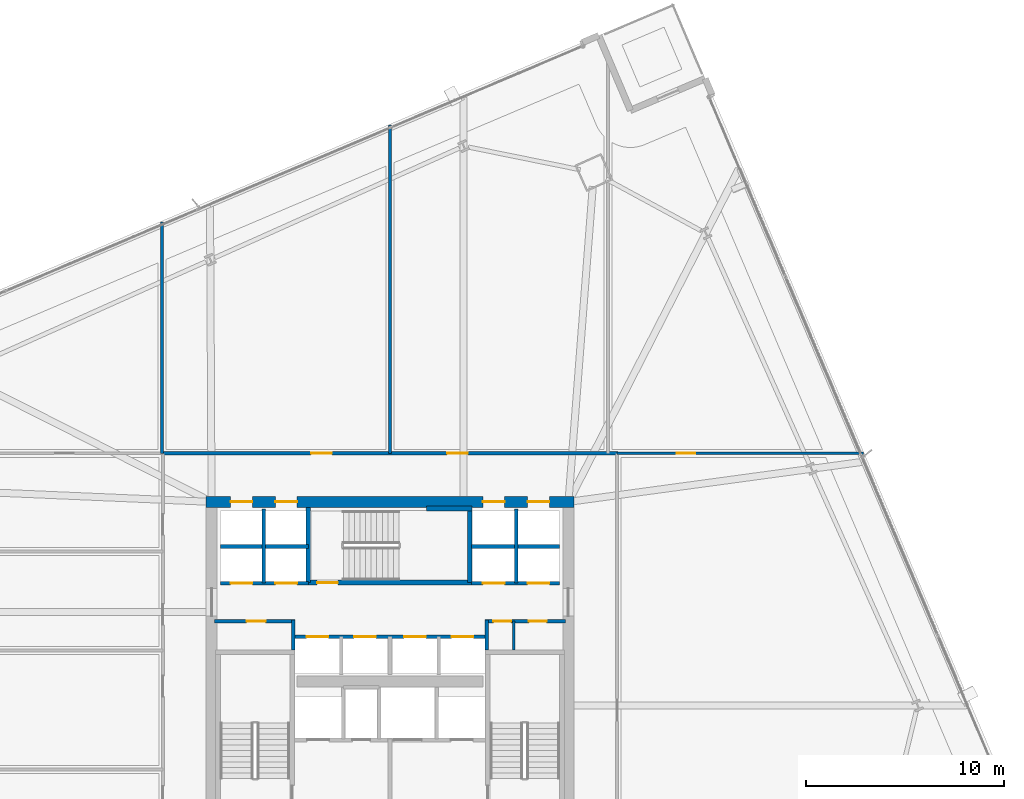
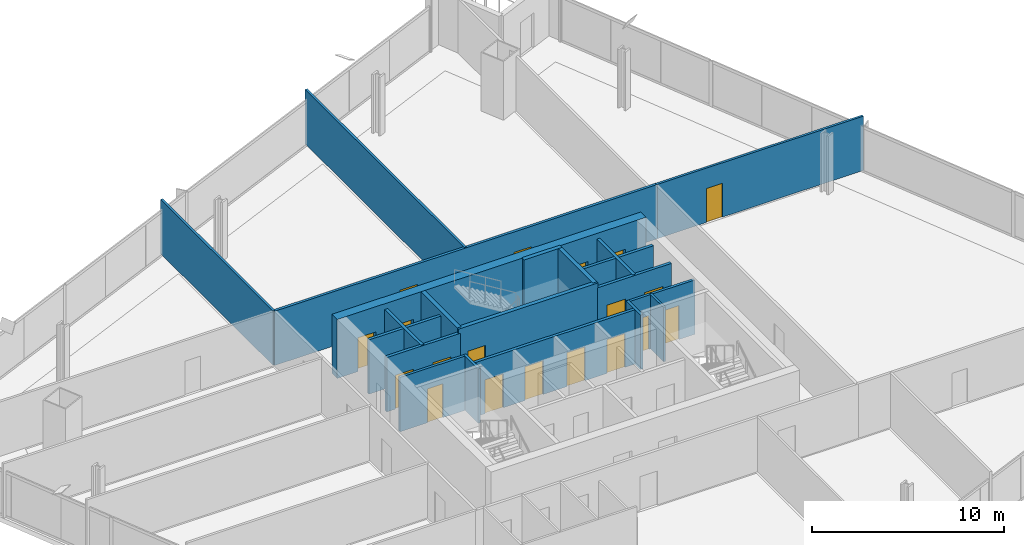
# One storey, part 28 of 34: 21 walls, 19 doors, 19 openings.
"""IFC4 building model written with IfcOpenShell, lengths in metres."""

from ifc_helpers import new_model, si_unit, direction, frame, frame_2d, origin, place, context, subcontext, project, spatial, rectangle, extrude, material, layer, layer_set, type_object, element, fill, save


model = new_model("IFC4")

# Units and contexts
model_context = context("Model", 3, precision=1e-05, world=origin(), true_north=direction((0.0, 1.0)))
body_context = subcontext(model_context, "Body", "Model", "MODEL_VIEW")
ifc_project = project(units=[si_unit("LENGTHUNIT", "METRE"), si_unit("AREAUNIT", "SQUARE_METRE"), si_unit("VOLUMEUNIT", "CUBIC_METRE"), si_unit("PLANEANGLEUNIT", "RADIAN"), si_unit("MASSUNIT", "GRAM", prefix="KILO")], contexts=[model_context])

# Site, building, storey
site_placement = place(None, origin())
site = spatial("IfcSite", under=ifc_project, at=site_placement, CompositionType="ELEMENT")
building_placement = place(site_placement, origin())
building = spatial("IfcBuilding", under=site, at=building_placement, Name="Haldenkirk Collegiate Tower", CompositionType="ELEMENT")
storey_placement = place(building_placement, frame((0.0, 0.0, 105.449951171875)))
storey = spatial("IfcBuildingStorey", under=building, at=storey_placement, Name="L25", CompositionType="ELEMENT", Elevation=105.449951171875)

# Wall, openings, doors
ifc_material_1 = material(Name="Concrete f'c 70 MPa", Category="concrete")
ifc_layer_1 = layer(ifc_material_1, 0.550048828125)
ifc_layer_set_1 = layer_set([ifc_layer_1], Name="Concrete f'c 70 MPa")
wall_type_1 = type_object("IfcWallType", Name="WL-CORE-550", PredefinedType="SHEAR", material=ifc_layer_set_1)
wall_1_placement = place(storey_placement, frame((26.72509765625, 34.0, 0.0), z_axis=(0.0, 0.0, 1.0), x_axis=(1.0, 0.0, 0.0)))
wall_1 = element("IfcWall", 1, at=wall_1_placement, inside=storey, type_object=wall_type_1, Name="L25 central core shear wall N", PredefinedType="SHEAR", context=body_context, shape_type="SweptSolid", body=[
    extrude(rectangle(XDim=18.5498046875, YDim=0.550048828125, at=frame_2d((9.27490234375, 0.0))), origin(), (0.0, 0.0, 1.0), 3.75),
])
opening_1_placement = place(wall_1_placement, frame((1.239990234375, 0.0, 0.0)))
opening_1 = element("IfcOpeningElement", 2, at=opening_1_placement, cuts=wall_1, Name="Opening LD-11", PredefinedType="OPENING", context=body_context, shape_type="SweptSolid", body=[
    extrude(rectangle(XDim=1.10009765625, YDim=2.14990234375, at=frame_2d((0.550048828125, 1.074951171875))), frame((0.0, 0.284912109375, 0.0), z_axis=(0.0, -1.0, 0.0), x_axis=(1.0, 0.0, 0.0)), (0.0, 0.0, 1.0), 0.570068359375),
])
opening_2_placement = place(wall_1_placement, frame((3.489990234375, 0.0, 0.0)))
opening_2 = element("IfcOpeningElement", 3, at=opening_2_placement, cuts=wall_1, Name="Opening LD-11", PredefinedType="OPENING", context=body_context, shape_type="SweptSolid", body=[
    extrude(rectangle(XDim=1.10009765625, YDim=2.14990234375, at=frame_2d((0.550048828125, 1.074951171875))), frame((0.0, 0.284912109375, 0.0), z_axis=(0.0, -1.0, 0.0), x_axis=(1.0, 0.0, 0.0)), (0.0, 0.0, 1.0), 0.570068359375),
])
opening_3_placement = place(wall_1_placement, frame((13.9599609375, 0.0, 0.0)))
opening_3 = element("IfcOpeningElement", 4, at=opening_3_placement, cuts=wall_1, Name="Opening LD-11", PredefinedType="OPENING", context=body_context, shape_type="SweptSolid", body=[
    extrude(rectangle(XDim=1.10009765625, YDim=2.14990234375, at=frame_2d((0.550048828125, 1.074951171875))), frame((0.0, 0.284912109375, 0.0), z_axis=(0.0, -1.0, 0.0), x_axis=(1.0, 0.0, 0.0)), (0.0, 0.0, 1.0), 0.570068359375),
])
opening_4_placement = place(wall_1_placement, frame((16.2099609375, 0.0, 0.0)))
opening_4 = element("IfcOpeningElement", 5, at=opening_4_placement, cuts=wall_1, Name="Opening LD-11", PredefinedType="OPENING", context=body_context, shape_type="SweptSolid", body=[
    extrude(rectangle(XDim=1.10009765625, YDim=2.14990234375, at=frame_2d((0.550048828125, 1.074951171875))), frame((0.0, 0.284912109375, 0.0), z_axis=(0.0, -1.0, 0.0), x_axis=(1.0, 0.0, 0.0)), (0.0, 0.0, 1.0), 0.570068359375),
])
ifc_material_2 = material(Name="Brushed architectural stainless steel", Category="steel")
ifc_layer_2 = layer(ifc_material_2, 0.06005859375)
ifc_layer_set_2 = layer_set([ifc_layer_2], Name="Brushed architectural stainless steel")
door_type_1 = type_object("IfcDoorType", Name="LD-PASS-1100", OperationType="NOTDEFINED", PredefinedType="DOOR", material=ifc_layer_set_2)
door_1_placement = place(opening_1_placement, origin())
door_1 = element("IfcDoor", 6, at=door_1_placement, inside=storey, type_object=door_type_1, Name="L25 Elevator PL3 sliding landing door", OperationType="SLIDING_TO_LEFT", OverallHeight=2.14990234375, OverallWidth=1.10009765625, PredefinedType="DOOR", context=body_context, shape_type="SweptSolid", body=[
    extrude(rectangle(XDim=1.10009765625, YDim=2.14990234375, at=frame_2d((0.550048828125, 1.074951171875))), frame((0.0, 0.02490234375, 0.0), z_axis=(0.0, -1.0, 0.0), x_axis=(1.0, 0.0, 0.0)), (0.0, 0.0, 1.0), 0.050048828125),
])
fill(opening_1, door_1)
door_2_placement = place(opening_2_placement, origin())
door_2 = element("IfcDoor", 7, at=door_2_placement, inside=storey, type_object=door_type_1, Name="L25 Elevator PL4 sliding landing door", OperationType="SLIDING_TO_LEFT", OverallHeight=2.14990234375, OverallWidth=1.10009765625, PredefinedType="DOOR", context=body_context, shape_type="SweptSolid", body=[
    extrude(rectangle(XDim=1.10009765625, YDim=2.14990234375, at=frame_2d((0.550048828125, 1.074951171875))), frame((0.0, 0.02490234375, 0.0), z_axis=(0.0, -1.0, 0.0), x_axis=(1.0, 0.0, 0.0)), (0.0, 0.0, 1.0), 0.050048828125),
])
fill(opening_2, door_2)
door_3_placement = place(opening_3_placement, origin())
door_3 = element("IfcDoor", 8, at=door_3_placement, inside=storey, type_object=door_type_1, Name="L25 Elevator PM3 sliding landing door", OperationType="SLIDING_TO_LEFT", OverallHeight=2.14990234375, OverallWidth=1.10009765625, PredefinedType="DOOR", context=body_context, shape_type="SweptSolid", body=[
    extrude(rectangle(XDim=1.10009765625, YDim=2.14990234375, at=frame_2d((0.550048828125, 1.074951171875))), frame((0.0, 0.02490234375, 0.0), z_axis=(0.0, -1.0, 0.0), x_axis=(1.0, 0.0, 0.0)), (0.0, 0.0, 1.0), 0.050048828125),
])
fill(opening_3, door_3)
door_4_placement = place(opening_4_placement, origin())
door_4 = element("IfcDoor", 9, at=door_4_placement, inside=storey, type_object=door_type_1, Name="L25 Elevator PM4 sliding landing door", OperationType="SLIDING_TO_LEFT", OverallHeight=2.14990234375, OverallWidth=1.10009765625, PredefinedType="DOOR", context=body_context, shape_type="SweptSolid", body=[
    extrude(rectangle(XDim=1.10009765625, YDim=2.14990234375, at=frame_2d((0.550048828125, 1.074951171875))), frame((0.0, 0.02490234375, 0.0), z_axis=(0.0, -1.0, 0.0), x_axis=(1.0, 0.0, 0.0)), (0.0, 0.0, 1.0), 0.050048828125),
])
fill(opening_4, door_4)

# Wall, opening, door
ifc_material_3 = material(Name="Acoustic fire-rated gypsum partition", Category="concrete")
ifc_layer_3 = layer(ifc_material_3, 0.159912109375)
ifc_layer_set_3 = layer_set([ifc_layer_3], Name="Acoustic fire-rated gypsum partition")
wall_type_2 = type_object("IfcWallType", Name="WL-INT-CORR-160", PredefinedType="PARTITIONING", material=ifc_layer_set_3)
wall_2_placement = place(storey_placement, frame((27.14990234375, 27.97998046875, 0.0), z_axis=(0.0, 0.0, 1.0), x_axis=(1.0, 0.0, 0.0)))
wall_2 = element("IfcWall", 10, at=wall_2_placement, inside=storey, type_object=wall_type_2, Name="L25 interior partition IW-L25-VCSW-N", PredefinedType="PARTITIONING", context=body_context, shape_type="SweptSolid", body=[
    extrude(rectangle(XDim=4.050048828125, YDim=0.159912109375, at=frame_2d((2.02490234375, 0.0))), origin(), (0.0, 0.0, 1.0), 3.449951171875),
])
opening_5_placement = place(wall_2_placement, frame((1.625, 0.0, 0.0)))
opening_5 = element("IfcOpeningElement", 11, at=opening_5_placement, cuts=wall_2, Name="Opening D-10", PredefinedType="OPENING", context=body_context, shape_type="SweptSolid", body=[
    extrude(rectangle(XDim=0.949951171875, YDim=2.14990234375, at=frame_2d((0.47509765625, 1.074951171875))), frame((0.0, 0.08984375, 0.0), z_axis=(0.0, -1.0, 0.0), x_axis=(1.0, 0.0, 0.0)), (0.0, 0.0, 1.0), 0.179931640625),
])
ifc_material_4 = material(Name="Solid-core architectural oak fire door", Category="wood")
ifc_layer_4 = layer(ifc_material_4, 0.06005859375)
ifc_layer_set_4 = layer_set([ifc_layer_4], Name="Solid-core architectural oak fire door")
door_type_2 = type_object("IfcDoorType", Name="DR-INT-FD60-950", OperationType="NOTDEFINED", PredefinedType="DOOR", material=ifc_layer_set_4)
door_5_placement = place(opening_5_placement, origin())
door_5 = element("IfcDoor", 12, at=door_5_placement, inside=storey, type_object=door_type_2, Name="L25 core tea pantry door", OperationType="SINGLE_SWING_RIGHT", OverallHeight=2.14990234375, OverallWidth=0.949951171875, PredefinedType="DOOR", context=body_context, shape_type="SweptSolid", body=[
    extrude(rectangle(XDim=0.949951171875, YDim=2.14990234375, at=frame_2d((0.47509765625, 1.074951171875))), frame((0.0, 0.02490234375, 0.0), z_axis=(0.0, -1.0, 0.0), x_axis=(1.0, 0.0, 0.0)), (0.0, 0.0, 1.0), 0.050048828125),
])
fill(opening_5, door_5)

# Wall
wall_3_placement = place(storey_placement, frame((31.1201171875, 26.5400390625, 0.0), z_axis=(0.0, 0.0, 1.0), x_axis=(0.0, 1.0, 0.0)))
element("IfcWall", 13, at=wall_3_placement, inside=storey, type_object=wall_type_2, Name="L25 interior partition IW-L25-VCSW-E", PredefinedType="PARTITIONING", context=body_context, shape_type="SweptSolid", body=[
    extrude(rectangle(XDim=1.510009765625, YDim=0.159912109375, at=frame_2d((0.7548828125, 0.0))), origin(), (0.0, 0.0, 1.0), 3.449951171875),
])

# Wall, openings, doors
wall_4_placement = place(storey_placement, frame((40.800048828125, 27.97998046875, 0.0), z_axis=(0.0, 0.0, 1.0), x_axis=(1.0, 0.0, 0.0)))
wall_4 = element("IfcWall", 14, at=wall_4_placement, inside=storey, type_object=wall_type_2, Name="L25 interior partition IW-L25-VCSE-N", PredefinedType="PARTITIONING", context=body_context, shape_type="SweptSolid", body=[
    extrude(rectangle(XDim=4.050048828125, YDim=0.159912109375, at=frame_2d((2.02490234375, 0.0))), origin(), (0.0, 0.0, 1.0), 3.449951171875),
])
opening_6_placement = place(wall_4_placement, frame((0.407470703125, 0.0, 0.0)))
opening_6 = element("IfcOpeningElement", 15, at=opening_6_placement, cuts=wall_4, Name="Opening D-11", PredefinedType="OPENING", context=body_context, shape_type="SweptSolid", body=[
    extrude(rectangle(XDim=0.89990234375, YDim=2.14990234375, at=frame_2d((0.449951171875, 1.074951171875))), frame((0.0, 0.08984375, 0.0), z_axis=(0.0, -1.0, 0.0), x_axis=(1.0, 0.0, 0.0)), (0.0, 0.0, 1.0), 0.179931640625),
])
opening_7_placement = place(wall_4_placement, frame((2.199951171875, 0.0, 0.0)))
opening_7 = element("IfcOpeningElement", 16, at=opening_7_placement, cuts=wall_4, Name="Opening D-11", PredefinedType="OPENING", context=body_context, shape_type="SweptSolid", body=[
    extrude(rectangle(XDim=0.89990234375, YDim=2.14990234375, at=frame_2d((0.449951171875, 1.074951171875))), frame((0.0, 0.08984375, 0.0), z_axis=(0.0, -1.0, 0.0), x_axis=(1.0, 0.0, 0.0)), (0.0, 0.0, 1.0), 0.179931640625),
])
ifc_layer_5 = layer(ifc_material_4, 0.06005859375)
ifc_layer_set_5 = layer_set([ifc_layer_5], Name="Solid-core architectural oak fire door")
door_type_3 = type_object("IfcDoorType", Name="DR-INT-FD60-900", OperationType="NOTDEFINED", PredefinedType="DOOR", material=ifc_layer_set_5)
door_6_placement = place(opening_6_placement, origin())
door_6 = element("IfcDoor", 17, at=door_6_placement, inside=storey, type_object=door_type_3, Name="L25 core copy room door", OperationType="SINGLE_SWING_LEFT", OverallHeight=2.14990234375, OverallWidth=0.89990234375, PredefinedType="DOOR", context=body_context, shape_type="SweptSolid", body=[
    extrude(rectangle(XDim=0.89990234375, YDim=2.14990234375, at=frame_2d((0.449951171875, 1.074951171875))), frame((0.0, 0.02490234375, 0.0), z_axis=(0.0, -1.0, 0.0), x_axis=(1.0, 0.0, 0.0)), (0.0, 0.0, 1.0), 0.050048828125),
])
fill(opening_6, door_6)
door_7_placement = place(opening_7_placement, origin())
door_7 = element("IfcDoor", 18, at=door_7_placement, inside=storey, type_object=door_type_3, Name="L25 core records store door", OperationType="SINGLE_SWING_RIGHT", OverallHeight=2.14990234375, OverallWidth=0.89990234375, PredefinedType="DOOR", context=body_context, shape_type="SweptSolid", body=[
    extrude(rectangle(XDim=0.89990234375, YDim=2.14990234375, at=frame_2d((0.449951171875, 1.074951171875))), frame((0.0, 0.02490234375, 0.0), z_axis=(0.0, -1.0, 0.0), x_axis=(1.0, 0.0, 0.0)), (0.0, 0.0, 1.0), 0.050048828125),
])
fill(opening_7, door_7)

# Wall
wall_5_placement = place(storey_placement, frame((40.8798828125, 26.5400390625, 0.0), z_axis=(0.0, 0.0, 1.0), x_axis=(0.0, 1.0, 0.0)))
element("IfcWall", 19, at=wall_5_placement, inside=storey, type_object=wall_type_2, Name="L25 interior partition IW-L25-VCSE-W", PredefinedType="PARTITIONING", context=body_context, shape_type="SweptSolid", body=[
    extrude(rectangle(XDim=1.510009765625, YDim=0.159912109375, at=frame_2d((0.7548828125, 0.0))), origin(), (0.0, 0.0, 1.0), 3.449951171875),
])

# Wall, openings, doors
wall_6_placement = place(storey_placement, frame((24.5, 36.449951171875, 0.0), z_axis=(0.0, 0.0, 1.0), x_axis=(1.0, 0.0, 0.0)))
wall_6 = element("IfcWall", 20, at=wall_6_placement, inside=storey, type_object=wall_type_2, Name="L25 interior partition IW-L25-CN", PredefinedType="PARTITIONING", context=body_context, shape_type="SweptSolid", body=[
    extrude(rectangle(XDim=23.0, YDim=0.159912109375, at=frame_2d((11.5, 0.0))), origin(), (0.0, 0.0, 1.0), 3.449951171875),
])
opening_8_placement = place(wall_6_placement, frame((7.52099609375, 0.0, 0.0)))
opening_8 = element("IfcOpeningElement", 21, at=opening_8_placement, cuts=wall_6, Name="Opening D-09", PredefinedType="OPENING", context=body_context, shape_type="SweptSolid", body=[
    extrude(rectangle(XDim=1.050048828125, YDim=2.14990234375, at=frame_2d((0.52490234375, 1.074951171875))), frame((0.0, 0.08984375, 0.0), z_axis=(0.0, -1.0, 0.0), x_axis=(1.0, 0.0, 0.0)), (0.0, 0.0, 1.0), 0.179931640625),
])
opening_9_placement = place(wall_6_placement, frame((14.375, 0.0, 0.0)))
opening_9 = element("IfcOpeningElement", 22, at=opening_9_placement, cuts=wall_6, Name="Opening D-09", PredefinedType="OPENING", context=body_context, shape_type="SweptSolid", body=[
    extrude(rectangle(XDim=1.050048828125, YDim=2.14990234375, at=frame_2d((0.52490234375, 1.074951171875))), frame((0.0, 0.08984375, 0.0), z_axis=(0.0, -1.0, 0.0), x_axis=(1.0, 0.0, 0.0)), (0.0, 0.0, 1.0), 0.179931640625),
])
ifc_layer_6 = layer(ifc_material_4, 0.06005859375)
ifc_layer_set_6 = layer_set([ifc_layer_6], Name="Solid-core architectural oak fire door")
door_type_4 = type_object("IfcDoorType", Name="DR-INT-FD60-1050", OperationType="NOTDEFINED", PredefinedType="DOOR", material=ifc_layer_set_6)
door_8_placement = place(opening_8_placement, origin())
door_8 = element("IfcDoor", 23, at=door_8_placement, inside=storey, type_object=door_type_4, Name="L25 Case Method Seminar Room 5 door", OperationType="SINGLE_SWING_RIGHT", OverallHeight=2.14990234375, OverallWidth=1.050048828125, PredefinedType="DOOR", context=body_context, shape_type="SweptSolid", body=[
    extrude(rectangle(XDim=1.050048828125, YDim=2.14990234375, at=frame_2d((0.52490234375, 1.074951171875))), frame((0.0, 0.02490234375, 0.0), z_axis=(0.0, -1.0, 0.0), x_axis=(1.0, 0.0, 0.0)), (0.0, 0.0, 1.0), 0.050048828125),
])
fill(opening_8, door_8)
door_9_placement = place(opening_9_placement, origin())
door_9 = element("IfcDoor", 24, at=door_9_placement, inside=storey, type_object=door_type_4, Name="L25 Critique Seminar Room 6 door", OperationType="SINGLE_SWING_LEFT", OverallHeight=2.14990234375, OverallWidth=1.050048828125, PredefinedType="DOOR", context=body_context, shape_type="SweptSolid", body=[
    extrude(rectangle(XDim=1.050048828125, YDim=2.14990234375, at=frame_2d((0.52490234375, 1.074951171875))), frame((0.0, 0.02490234375, 0.0), z_axis=(0.0, -1.0, 0.0), x_axis=(1.0, 0.0, 0.0)), (0.0, 0.0, 1.0), 0.050048828125),
])
fill(opening_9, door_9)

# Wall, opening, door
ifc_layer_7 = layer(ifc_material_3, 0.139892578125)
ifc_layer_set_7 = layer_set([ifc_layer_7], Name="Acoustic fire-rated gypsum partition")
wall_type_3 = type_object("IfcWallType", Name="WL-INT-DIV-140", PredefinedType="PARTITIONING", material=ifc_layer_set_7)
wall_7_placement = place(storey_placement, frame((47.449951171875, 36.449951171875, 0.0), z_axis=(0.0, 0.0, 1.0), x_axis=(1.0, 0.0, 0.0)))
wall_7 = element("IfcWall", 25, at=wall_7_placement, inside=storey, type_object=wall_type_3, Name="L25 interior partition IW-L25-BEN", PredefinedType="PARTITIONING", context=body_context, shape_type="SweptSolid", body=[
    extrude(rectangle(XDim=12.4248046875, YDim=0.139892578125, at=frame_2d((6.21240234375, 0.0))), origin(), (0.0, 0.0, 1.0), 3.449951171875),
])
opening_10_placement = place(wall_7_placement, frame((3.0048828125, 0.0, 0.0)))
opening_10 = element("IfcOpeningElement", 26, at=opening_10_placement, cuts=wall_7, Name="Opening D-12", PredefinedType="OPENING", context=body_context, shape_type="SweptSolid", body=[
    extrude(rectangle(XDim=0.949951171875, YDim=2.14990234375, at=frame_2d((0.47509765625, 1.074951171875))), frame((0.0, 0.079833984375, 0.0), z_axis=(0.0, -1.0, 0.0), x_axis=(1.0, 0.0, 0.0)), (0.0, 0.0, 1.0), 0.159912109375),
])
ifc_layer_8 = layer(ifc_material_4, 0.06005859375)
ifc_layer_set_8 = layer_set([ifc_layer_8], Name="Solid-core architectural oak fire door")
door_type_5 = type_object("IfcDoorType", Name="DR-INT-STD-950", OperationType="NOTDEFINED", PredefinedType="DOOR", material=ifc_layer_set_8)
door_10_placement = place(opening_10_placement, origin())
door_10 = element("IfcDoor", 27, at=door_10_placement, inside=storey, type_object=door_type_5, Name="L25 Graduate Seminar Room 7 door", OperationType="SINGLE_SWING_RIGHT", OverallHeight=2.14990234375, OverallWidth=0.949951171875, PredefinedType="DOOR", context=body_context, shape_type="SweptSolid", body=[
    extrude(rectangle(XDim=0.949951171875, YDim=2.14990234375, at=frame_2d((0.47509765625, 1.074951171875))), frame((0.0, 0.02490234375, 0.0), z_axis=(0.0, -1.0, 0.0), x_axis=(1.0, 0.0, 0.0)), (0.0, 0.0, 1.0), 0.050048828125),
])
fill(opening_10, door_10)

# Walls
wall_8_placement = place(storey_placement, frame((24.5, 36.449951171875, 0.0), z_axis=(0.0, 0.0, 1.0), x_axis=(0.0, 1.0, 0.0)))
element("IfcWall", 28, at=wall_8_placement, inside=storey, type_object=wall_type_3, Name="L25 interior partition IW-L25-RN1", PredefinedType="PARTITIONING", context=body_context, shape_type="SweptSolid", body=[
    extrude(rectangle(XDim=11.675537109375, YDim=0.139892578125, at=frame_2d((5.837890625, 0.0))), origin(), (0.0, 0.0, 1.0), 3.449951171875),
])
wall_9_placement = place(storey_placement, frame((36.0, 36.449951171875, 0.0), z_axis=(0.0, 0.0, 1.0), x_axis=(0.0, 1.0, 0.0)))
element("IfcWall", 29, at=wall_9_placement, inside=storey, type_object=wall_type_3, Name="L25 interior partition IW-L25-RN2", PredefinedType="PARTITIONING", context=body_context, shape_type="SweptSolid", body=[
    extrude(rectangle(XDim=16.55712890625, YDim=0.139892578125, at=frame_2d((8.278564453125, 0.0))), origin(), (0.0, 0.0, 1.0), 3.449951171875),
])

# Wall, openings, doors
ifc_material_5 = material(Name="Fire-rated gypsum shaftboard assembly", Category="concrete")
ifc_layer_9 = layer(ifc_material_5, 0.179931640625)
ifc_layer_set_9 = layer_set([ifc_layer_9], Name="Fire-rated gypsum shaftboard assembly")
wall_type_4 = type_object("IfcWallType", Name="WL-INT-SHAFT-180", PredefinedType="PARTITIONING", material=ifc_layer_set_9)
wall_10_placement = place(storey_placement, frame((27.449951171875, 29.89990234375, 0.0), z_axis=(0.0, 0.0, 1.0), x_axis=(1.0, 0.0, 0.0)))
wall_10 = element("IfcWall", 30, at=wall_10_placement, inside=storey, type_object=wall_type_4, Name="L25 interior partition IW-L25-PLS", PredefinedType="PARTITIONING", context=body_context, shape_type="SweptSolid", body=[
    extrude(rectangle(XDim=4.429931640625, YDim=0.179931640625, at=frame_2d((2.21484375, 0.0))), origin(), (0.0, 0.0, 1.0), 3.449951171875),
])
opening_11_placement = place(wall_10_placement, frame((0.514892578125, 0.0, 0.0)))
opening_11 = element("IfcOpeningElement", 31, at=opening_11_placement, cuts=wall_10, Name="Opening LD-11", PredefinedType="OPENING", context=body_context, shape_type="SweptSolid", body=[
    extrude(rectangle(XDim=1.10009765625, YDim=2.14990234375, at=frame_2d((0.550048828125, 1.074951171875))), frame((0.0, 0.099853515625, 0.0), z_axis=(0.0, -1.0, 0.0), x_axis=(1.0, 0.0, 0.0)), (0.0, 0.0, 1.0), 0.199951171875),
])
opening_12_placement = place(wall_10_placement, frame((2.764892578125, 0.0, 0.0)))
opening_12 = element("IfcOpeningElement", 32, at=opening_12_placement, cuts=wall_10, Name="Opening LD-11", PredefinedType="OPENING", context=body_context, shape_type="SweptSolid", body=[
    extrude(rectangle(XDim=1.10009765625, YDim=2.14990234375, at=frame_2d((0.550048828125, 1.074951171875))), frame((0.0, 0.099853515625, 0.0), z_axis=(0.0, -1.0, 0.0), x_axis=(1.0, 0.0, 0.0)), (0.0, 0.0, 1.0), 0.199951171875),
])
door_11_placement = place(opening_11_placement, origin())
door_11 = element("IfcDoor", 33, at=door_11_placement, inside=storey, type_object=door_type_1, Name="L25 Elevator PL1 sliding landing door", OperationType="SLIDING_TO_LEFT", OverallHeight=2.14990234375, OverallWidth=1.10009765625, PredefinedType="DOOR", context=body_context, shape_type="SweptSolid", body=[
    extrude(rectangle(XDim=1.10009765625, YDim=2.14990234375, at=frame_2d((0.550048828125, 1.074951171875))), frame((0.0, 0.02490234375, 0.0), z_axis=(0.0, -1.0, 0.0), x_axis=(1.0, 0.0, 0.0)), (0.0, 0.0, 1.0), 0.050048828125),
])
fill(opening_11, door_11)
door_12_placement = place(opening_12_placement, origin())
door_12 = element("IfcDoor", 34, at=door_12_placement, inside=storey, type_object=door_type_1, Name="L25 Elevator PL2 sliding landing door", OperationType="SLIDING_TO_LEFT", OverallHeight=2.14990234375, OverallWidth=1.10009765625, PredefinedType="DOOR", context=body_context, shape_type="SweptSolid", body=[
    extrude(rectangle(XDim=1.10009765625, YDim=2.14990234375, at=frame_2d((0.550048828125, 1.074951171875))), frame((0.0, 0.02490234375, 0.0), z_axis=(0.0, -1.0, 0.0), x_axis=(1.0, 0.0, 0.0)), (0.0, 0.0, 1.0), 0.050048828125),
])
fill(opening_12, door_12)

# Walls
wall_11_placement = place(storey_placement, frame((27.449951171875, 31.75, 0.0), z_axis=(0.0, 0.0, 1.0), x_axis=(1.0, 0.0, 0.0)))
element("IfcWall", 35, at=wall_11_placement, inside=storey, type_object=wall_type_4, Name="L25 interior partition IW-L25-PLM", PredefinedType="PARTITIONING", context=body_context, shape_type="SweptSolid", body=[
    extrude(rectangle(XDim=4.429931640625, YDim=0.179931640625, at=frame_2d((2.21484375, 0.0))), origin(), (0.0, 0.0, 1.0), 3.449951171875),
])
wall_12_placement = place(storey_placement, frame((29.6298828125, 29.89990234375, 0.0), z_axis=(0.0, 0.0, 1.0), x_axis=(0.0, 1.0, 0.0)))
element("IfcWall", 36, at=wall_12_placement, inside=storey, type_object=wall_type_4, Name="L25 interior partition IW-L25-PLV", PredefinedType="PARTITIONING", context=body_context, shape_type="SweptSolid", body=[
    extrude(rectangle(XDim=3.75, YDim=0.179931640625, at=frame_2d((1.875, 0.0))), origin(), (0.0, 0.0, 1.0), 3.449951171875),
])

# Wall, openings, doors
wall_13_placement = place(storey_placement, frame((40.1201171875, 29.89990234375, 0.0), z_axis=(0.0, 0.0, 1.0), x_axis=(1.0, 0.0, 0.0)))
wall_13 = element("IfcWall", 37, at=wall_13_placement, inside=storey, type_object=wall_type_4, Name="L25 interior partition IW-L25-PMS", PredefinedType="PARTITIONING", context=body_context, shape_type="SweptSolid", body=[
    extrude(rectangle(XDim=4.429931640625, YDim=0.179931640625, at=frame_2d((2.21484375, 0.0))), origin(), (0.0, 0.0, 1.0), 3.449951171875),
])
opening_13_placement = place(wall_13_placement, frame((0.56494140625, 0.0, 0.0)))
opening_13 = element("IfcOpeningElement", 38, at=opening_13_placement, cuts=wall_13, Name="Opening LD-11", PredefinedType="OPENING", context=body_context, shape_type="SweptSolid", body=[
    extrude(rectangle(XDim=1.10009765625, YDim=2.14990234375, at=frame_2d((0.550048828125, 1.074951171875))), frame((0.0, 0.099853515625, 0.0), z_axis=(0.0, -1.0, 0.0), x_axis=(1.0, 0.0, 0.0)), (0.0, 0.0, 1.0), 0.199951171875),
])
opening_14_placement = place(wall_13_placement, frame((2.81494140625, 0.0, 0.0)))
opening_14 = element("IfcOpeningElement", 39, at=opening_14_placement, cuts=wall_13, Name="Opening LD-11", PredefinedType="OPENING", context=body_context, shape_type="SweptSolid", body=[
    extrude(rectangle(XDim=1.10009765625, YDim=2.14990234375, at=frame_2d((0.550048828125, 1.074951171875))), frame((0.0, 0.099853515625, 0.0), z_axis=(0.0, -1.0, 0.0), x_axis=(1.0, 0.0, 0.0)), (0.0, 0.0, 1.0), 0.199951171875),
])
door_13_placement = place(opening_13_placement, origin())
door_13 = element("IfcDoor", 40, at=door_13_placement, inside=storey, type_object=door_type_1, Name="L25 Elevator PM1 sliding landing door", OperationType="SLIDING_TO_LEFT", OverallHeight=2.14990234375, OverallWidth=1.10009765625, PredefinedType="DOOR", context=body_context, shape_type="SweptSolid", body=[
    extrude(rectangle(XDim=1.10009765625, YDim=2.14990234375, at=frame_2d((0.550048828125, 1.074951171875))), frame((0.0, 0.02490234375, 0.0), z_axis=(0.0, -1.0, 0.0), x_axis=(1.0, 0.0, 0.0)), (0.0, 0.0, 1.0), 0.050048828125),
])
fill(opening_13, door_13)
door_14_placement = place(opening_14_placement, origin())
door_14 = element("IfcDoor", 41, at=door_14_placement, inside=storey, type_object=door_type_1, Name="L25 Elevator PM2 sliding landing door", OperationType="SLIDING_TO_LEFT", OverallHeight=2.14990234375, OverallWidth=1.10009765625, PredefinedType="DOOR", context=body_context, shape_type="SweptSolid", body=[
    extrude(rectangle(XDim=1.10009765625, YDim=2.14990234375, at=frame_2d((0.550048828125, 1.074951171875))), frame((0.0, 0.02490234375, 0.0), z_axis=(0.0, -1.0, 0.0), x_axis=(1.0, 0.0, 0.0)), (0.0, 0.0, 1.0), 0.050048828125),
])
fill(opening_14, door_14)

# Walls
wall_14_placement = place(storey_placement, frame((40.1201171875, 31.75, 0.0), z_axis=(0.0, 0.0, 1.0), x_axis=(1.0, 0.0, 0.0)))
element("IfcWall", 42, at=wall_14_placement, inside=storey, type_object=wall_type_4, Name="L25 interior partition IW-L25-PMM", PredefinedType="PARTITIONING", context=body_context, shape_type="SweptSolid", body=[
    extrude(rectangle(XDim=4.429931640625, YDim=0.179931640625, at=frame_2d((2.21484375, 0.0))), origin(), (0.0, 0.0, 1.0), 3.449951171875),
])
wall_15_placement = place(storey_placement, frame((42.3701171875, 29.89990234375, 0.0), z_axis=(0.0, 0.0, 1.0), x_axis=(0.0, 1.0, 0.0)))
element("IfcWall", 43, at=wall_15_placement, inside=storey, type_object=wall_type_4, Name="L25 interior partition IW-L25-PMV", PredefinedType="PARTITIONING", context=body_context, shape_type="SweptSolid", body=[
    extrude(rectangle(XDim=3.75, YDim=0.179931640625, at=frame_2d((1.875, 0.0))), origin(), (0.0, 0.0, 1.0), 3.449951171875),
])

# Wall, openings, doors
wall_16_placement = place(storey_placement, frame((31.199951171875, 27.199951171875, 0.0), z_axis=(0.0, 0.0, 1.0), x_axis=(1.0, 0.0, 0.0)))
wall_16 = element("IfcWall", 44, at=wall_16_placement, inside=storey, type_object=wall_type_4, Name="L25 interior partition IW-L25-PHN", PredefinedType="PARTITIONING", context=body_context, shape_type="SweptSolid", body=[
    extrude(rectangle(XDim=9.60009765625, YDim=0.179931640625, at=frame_2d((4.800048828125, 0.0))), origin(), (0.0, 0.0, 1.0), 3.449951171875),
])
opening_15_placement = place(wall_16_placement, frame((0.590087890625, 0.0, 0.0)))
opening_15 = element("IfcOpeningElement", 45, at=opening_15_placement, cuts=wall_16, Name="Opening LD-11", PredefinedType="OPENING", context=body_context, shape_type="SweptSolid", body=[
    extrude(rectangle(XDim=1.10009765625, YDim=2.14990234375, at=frame_2d((0.550048828125, 1.074951171875))), frame((0.0, 0.099853515625, 0.0), z_axis=(0.0, -1.0, 0.0), x_axis=(1.0, 0.0, 0.0)), (0.0, 0.0, 1.0), 0.199951171875),
])
opening_16_placement = place(wall_16_placement, frame((2.989990234375, 0.0, 0.0)))
opening_16 = element("IfcOpeningElement", 46, at=opening_16_placement, cuts=wall_16, Name="Opening LD-11", PredefinedType="OPENING", context=body_context, shape_type="SweptSolid", body=[
    extrude(rectangle(XDim=1.10009765625, YDim=2.14990234375, at=frame_2d((0.550048828125, 1.074951171875))), frame((0.0, 0.099853515625, 0.0), z_axis=(0.0, -1.0, 0.0), x_axis=(1.0, 0.0, 0.0)), (0.0, 0.0, 1.0), 0.199951171875),
])
opening_17_placement = place(wall_16_placement, frame((5.510009765625, 0.0, 0.0)))
opening_17 = element("IfcOpeningElement", 47, at=opening_17_placement, cuts=wall_16, Name="Opening LD-11", PredefinedType="OPENING", context=body_context, shape_type="SweptSolid", body=[
    extrude(rectangle(XDim=1.10009765625, YDim=2.14990234375, at=frame_2d((0.550048828125, 1.074951171875))), frame((0.0, 0.099853515625, 0.0), z_axis=(0.0, -1.0, 0.0), x_axis=(1.0, 0.0, 0.0)), (0.0, 0.0, 1.0), 0.199951171875),
])
opening_18_placement = place(wall_16_placement, frame((7.909912109375, 0.0, 0.0)))
opening_18 = element("IfcOpeningElement", 48, at=opening_18_placement, cuts=wall_16, Name="Opening LD-11", PredefinedType="OPENING", context=body_context, shape_type="SweptSolid", body=[
    extrude(rectangle(XDim=1.10009765625, YDim=2.14990234375, at=frame_2d((0.550048828125, 1.074951171875))), frame((0.0, 0.099853515625, 0.0), z_axis=(0.0, -1.0, 0.0), x_axis=(1.0, 0.0, 0.0)), (0.0, 0.0, 1.0), 0.199951171875),
])
door_15_placement = place(opening_15_placement, origin())
door_15 = element("IfcDoor", 49, at=door_15_placement, inside=storey, type_object=door_type_1, Name="L25 Elevator PH1 sliding landing door", OperationType="SLIDING_TO_LEFT", OverallHeight=2.14990234375, OverallWidth=1.10009765625, PredefinedType="DOOR", context=body_context, shape_type="SweptSolid", body=[
    extrude(rectangle(XDim=1.10009765625, YDim=2.14990234375, at=frame_2d((0.550048828125, 1.074951171875))), frame((0.0, 0.02490234375, 0.0), z_axis=(0.0, -1.0, 0.0), x_axis=(1.0, 0.0, 0.0)), (0.0, 0.0, 1.0), 0.050048828125),
])
fill(opening_15, door_15)
door_16_placement = place(opening_16_placement, origin())
door_16 = element("IfcDoor", 50, at=door_16_placement, inside=storey, type_object=door_type_1, Name="L25 Elevator PH2 sliding landing door", OperationType="SLIDING_TO_LEFT", OverallHeight=2.14990234375, OverallWidth=1.10009765625, PredefinedType="DOOR", context=body_context, shape_type="SweptSolid", body=[
    extrude(rectangle(XDim=1.10009765625, YDim=2.14990234375, at=frame_2d((0.550048828125, 1.074951171875))), frame((0.0, 0.02490234375, 0.0), z_axis=(0.0, -1.0, 0.0), x_axis=(1.0, 0.0, 0.0)), (0.0, 0.0, 1.0), 0.050048828125),
])
fill(opening_16, door_16)
door_17_placement = place(opening_17_placement, origin())
door_17 = element("IfcDoor", 51, at=door_17_placement, inside=storey, type_object=door_type_1, Name="L25 Elevator PH3 sliding landing door", OperationType="SLIDING_TO_LEFT", OverallHeight=2.14990234375, OverallWidth=1.10009765625, PredefinedType="DOOR", context=body_context, shape_type="SweptSolid", body=[
    extrude(rectangle(XDim=1.10009765625, YDim=2.14990234375, at=frame_2d((0.550048828125, 1.074951171875))), frame((0.0, 0.02490234375, 0.0), z_axis=(0.0, -1.0, 0.0), x_axis=(1.0, 0.0, 0.0)), (0.0, 0.0, 1.0), 0.050048828125),
])
fill(opening_17, door_17)
door_18_placement = place(opening_18_placement, origin())
door_18 = element("IfcDoor", 52, at=door_18_placement, inside=storey, type_object=door_type_1, Name="L25 Elevator PH4 sliding landing door", OperationType="SLIDING_TO_LEFT", OverallHeight=2.14990234375, OverallWidth=1.10009765625, PredefinedType="DOOR", context=body_context, shape_type="SweptSolid", body=[
    extrude(rectangle(XDim=1.10009765625, YDim=2.14990234375, at=frame_2d((0.550048828125, 1.074951171875))), frame((0.0, 0.02490234375, 0.0), z_axis=(0.0, -1.0, 0.0), x_axis=(1.0, 0.0, 0.0)), (0.0, 0.0, 1.0), 0.050048828125),
])
fill(opening_18, door_18)

# Wall
ifc_layer_10 = layer(ifc_material_3, 0.1201171875)
ifc_layer_set_10 = layer_set([ifc_layer_10], Name="Acoustic fire-rated gypsum partition")
wall_type_5 = type_object("IfcWallType", Name="WL-INT-WET-120", PredefinedType="PARTITIONING", material=ifc_layer_set_10)
wall_17_placement = place(storey_placement, frame((42.25, 26.5400390625, 0.0), z_axis=(0.0, 0.0, 1.0), x_axis=(0.0, 1.0, 0.0)))
element("IfcWall", 53, at=wall_17_placement, inside=storey, type_object=wall_type_5, Name="L25 interior partition IW-L25-VCSE-M", PredefinedType="PARTITIONING", context=body_context, shape_type="SweptSolid", body=[
    extrude(rectangle(XDim=1.43994140625, YDim=0.1201171875, at=frame_2d((0.719970703125, 0.0))), origin(), (0.0, 0.0, 1.0), 3.449951171875),
])

# Wall, opening, door
ifc_material_6 = material(Name="Concrete f'c 55 MPa", Category="concrete")
ifc_layer_11 = layer(ifc_material_6, 0.239990234375)
ifc_layer_set_11 = layer_set([ifc_layer_11], Name="Concrete f'c 55 MPa")
wall_type_6 = type_object("IfcWallType", Name="WL-SHAFT-240", PredefinedType="SHEAR", material=ifc_layer_set_11)
wall_18_placement = place(storey_placement, frame((31.760009765625, 29.929931640625, 0.0), z_axis=(0.0, 0.0, 1.0), x_axis=(1.0, 0.0, 0.0)))
wall_18 = element("IfcWall", 54, at=wall_18_placement, inside=storey, type_object=wall_type_6, Name="L25 stair shaft shear wall SW-L25-ST3S", PredefinedType="SHEAR", context=body_context, shape_type="SweptSolid", body=[
    extrude(rectangle(XDim=8.3798828125, YDim=0.239990234375, at=frame_2d((4.18994140625, 0.0))), origin(), (0.0, 0.0, 1.0), 3.75),
])
opening_19_placement = place(wall_18_placement, frame((0.56494140625, 0.0, 0.0)))
opening_19 = element("IfcOpeningElement", 55, at=opening_19_placement, cuts=wall_18, Name="Opening D-01", PredefinedType="OPENING", context=body_context, shape_type="SweptSolid", body=[
    extrude(rectangle(XDim=1.050048828125, YDim=2.14990234375, at=frame_2d((0.52490234375, 1.074951171875))), frame((0.0, 0.1298828125, 0.0), z_axis=(0.0, -1.0, 0.0), x_axis=(1.0, 0.0, 0.0)), (0.0, 0.0, 1.0), 0.260009765625),
])
ifc_material_7 = material(Name="Galvanized fire-rated hollow steel door", Category="steel")
ifc_layer_12 = layer(ifc_material_7, 0.06005859375)
ifc_layer_set_12 = layer_set([ifc_layer_12], Name="Galvanized fire-rated hollow steel door")
door_type_6 = type_object("IfcDoorType", Name="DR-STAIR-FD90-1050", OperationType="NOTDEFINED", PredefinedType="DOOR", material=ifc_layer_set_12)
door_19_placement = place(opening_19_placement, origin())
door_19 = element("IfcDoor", 56, at=door_19_placement, inside=storey, type_object=door_type_6, Name="L25 lift lobby Stair 3 door", OperationType="SINGLE_SWING_LEFT", OverallHeight=2.14990234375, OverallWidth=1.050048828125, PredefinedType="DOOR", context=body_context, shape_type="SweptSolid", body=[
    extrude(rectangle(XDim=1.050048828125, YDim=2.14990234375, at=frame_2d((0.52490234375, 1.074951171875))), frame((0.0, 0.02490234375, 0.0), z_axis=(0.0, -1.0, 0.0), x_axis=(1.0, 0.0, 0.0)), (0.0, 0.0, 1.0), 0.050048828125),
])
fill(opening_19, door_19)

# Walls
wall_19_placement = place(storey_placement, frame((31.8798828125, 29.929931640625, 0.0), z_axis=(0.0, 0.0, 1.0), x_axis=(0.0, 1.0, 0.0)))
element("IfcWall", 57, at=wall_19_placement, inside=storey, type_object=wall_type_6, Name="L25 stair shaft shear wall SW-L25-ST3W", PredefinedType="SHEAR", context=body_context, shape_type="SweptSolid", body=[
    extrude(rectangle(XDim=3.7900390625, YDim=0.239990234375, at=frame_2d((1.89501953125, 0.0))), origin(), (0.0, 0.0, 1.0), 3.75),
])
wall_20_placement = place(storey_placement, frame((40.02001953125, 29.929931640625, 0.0), z_axis=(0.0, 0.0, 1.0), x_axis=(0.0, 1.0, 0.0)))
element("IfcWall", 58, at=wall_20_placement, inside=storey, type_object=wall_type_6, Name="L25 stair shaft shear wall SW-L25-ST3E", PredefinedType="SHEAR", context=body_context, shape_type="SweptSolid", body=[
    extrude(rectangle(XDim=3.85009765625, YDim=0.239990234375, at=frame_2d((1.925048828125, 0.0))), origin(), (0.0, 0.0, 1.0), 3.75),
])
wall_21_placement = place(storey_placement, frame((37.85009765625, 33.659912109375, 0.0), z_axis=(0.0, 0.0, 1.0), x_axis=(1.0, 0.0, 0.0)))
element("IfcWall", 59, at=wall_21_placement, inside=storey, type_object=wall_type_6, Name="L25 stair shaft shear wall SW-L25-ST3N", PredefinedType="SHEAR", context=body_context, shape_type="SweptSolid", body=[
    extrude(rectangle(XDim=2.289794921875, YDim=0.239990234375, at=frame_2d((1.14501953125, 0.0))), origin(), (0.0, 0.0, 1.0), 3.75),
])

save(model, "model.ifc")
